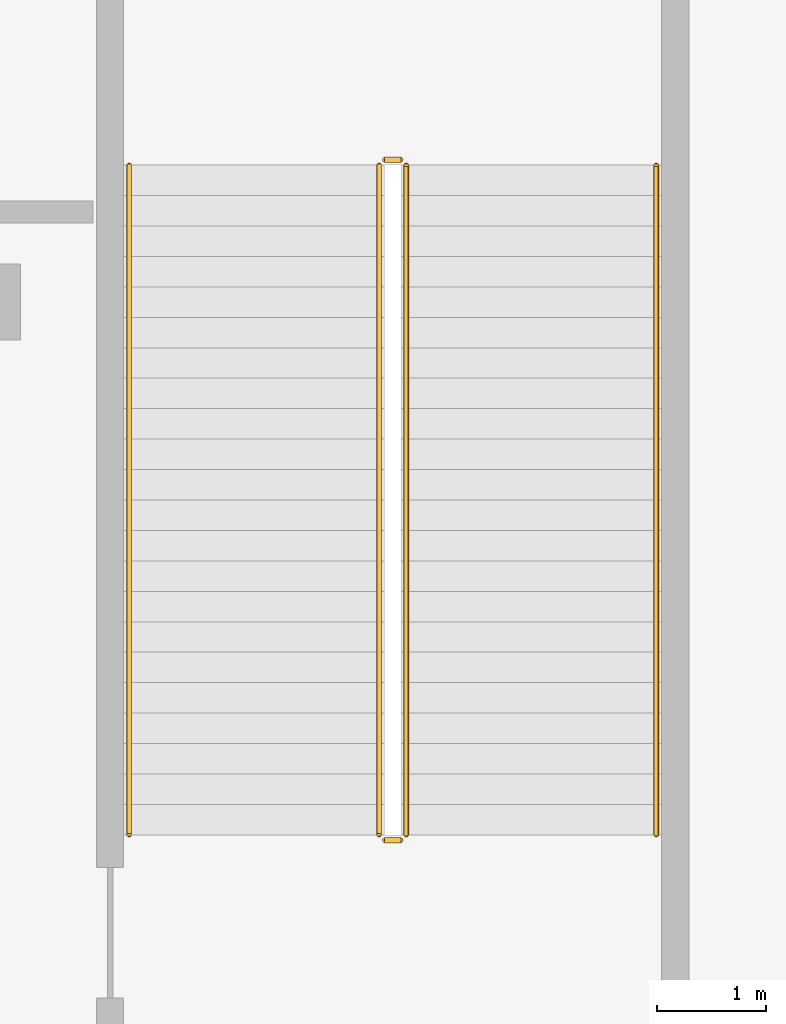
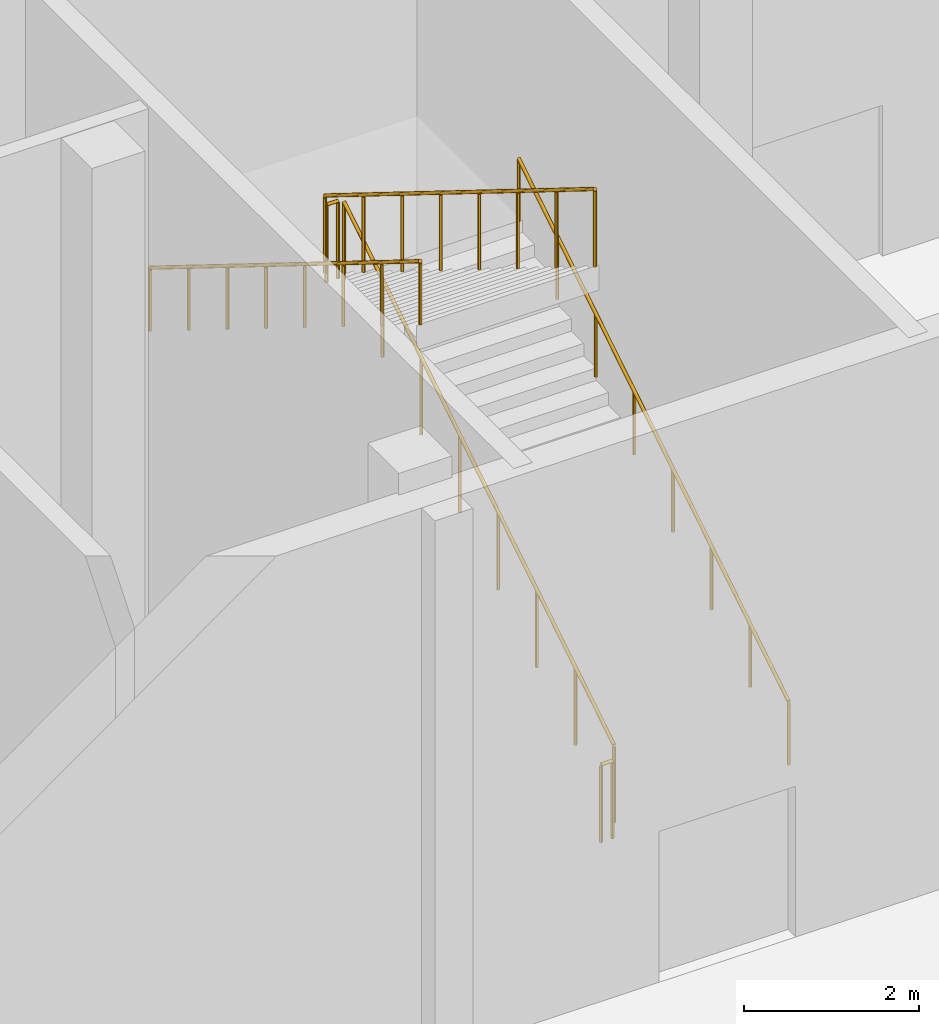
# One storey, part 53 of 57: 6 railings.
"""IFC4 building model written with IfcOpenShell, lengths in metres."""

from ifc_helpers import new_model, si_unit, direction, frame, origin, origin_2d, place, context, subcontext, project, spatial, circle, extrude, material, type_object, element, save


model = new_model("IFC4")

# Units and contexts
model_context = context("Model", 3, precision=1e-05, world=origin(), true_north=direction((0.0, 1.0)))
body_context = subcontext(model_context, "Body", "Model", "MODEL_VIEW")
ifc_project = project(units=[si_unit("LENGTHUNIT", "METRE"), si_unit("AREAUNIT", "SQUARE_METRE"), si_unit("VOLUMEUNIT", "CUBIC_METRE"), si_unit("PLANEANGLEUNIT", "RADIAN"), si_unit("MASSUNIT", "GRAM", prefix="KILO")], contexts=[model_context])

# Site, building, storey
site_placement = place(None, origin())
site = spatial("IfcSite", under=ifc_project, at=site_placement, CompositionType="ELEMENT")
building_placement = place(site_placement, origin())
building = spatial("IfcBuilding", under=site, at=building_placement, Name="Tamorin Gate", CompositionType="ELEMENT")
storey_placement = place(building_placement, origin())
storey = spatial("IfcBuildingStorey", under=building, at=storey_placement, Name="L00", CompositionType="ELEMENT", Elevation=0.0)

# Railings
ifc_material = material(Name="Steel, galvanised", Category="steel")
railing_type_1 = type_object("IfcRailingType", Name="Steel guard 1100 museum", PredefinedType="GUARDRAIL", material=ifc_material)
railing_1_placement = place(storey_placement, frame((197.60009765625, 57.800048828125, 0.173828125)))
element("IfcRailing", 1, at=railing_1_placement, inside=storey, type_object=railing_type_1, Name="L00 PS7 stair guard 1", PredefinedType="GUARDRAIL", context=body_context, shape_type="SweptSolid", body=[
    extrude(circle(Radius=0.02392578125, at=origin_2d()), frame((0.0, 0.0, 1.076171875), z_axis=(0.0, 0.849468459523, 0.527639399851), x_axis=(-1.0, 0.0, 0.0)), (0.0, 0.0, 1.0), 7.25146484375),
    extrude(circle(Radius=0.02099609375, at=origin_2d()), origin(), (0.0, 0.0, 1.0), 1.052001953125),
    extrude(circle(Radius=0.02099609375, at=origin_2d()), frame((0.0, 0.8798828125, 0.546630859375)), (0.0, 0.0, 1.0), 1.052001953125),
    extrude(circle(Radius=0.02099609375, at=origin_2d()), frame((0.0, 1.760009765625, 1.09326171875)), (0.0, 0.0, 1.0), 1.052001953125),
    extrude(circle(Radius=0.02099609375, at=origin_2d()), frame((0.0, 2.639892578125, 1.639892578125)), (0.0, 0.0, 1.0), 1.052001953125),
    extrude(circle(Radius=0.02099609375, at=origin_2d()), frame((0.0, 3.52001953125, 2.186279296875)), (0.0, 0.0, 1.0), 1.052001953125),
    extrude(circle(Radius=0.02099609375, at=origin_2d()), frame((0.0, 4.39990234375, 2.73291015625)), (0.0, 0.0, 1.0), 1.052001953125),
    extrude(circle(Radius=0.02099609375, at=origin_2d()), frame((0.0, 5.280029296875, 3.279541015625)), (0.0, 0.0, 1.0), 1.052001953125),
    extrude(circle(Radius=0.02099609375, at=origin_2d()), frame((0.0, 6.159912109375, 3.826171875)), (0.0, 0.0, 1.0), 1.052001953125),
])
railing_2_placement = place(storey_placement, frame((197.550048828125, 64.010009765625, 4.0)))
element("IfcRailing", 2, at=railing_2_placement, inside=storey, type_object=railing_type_1, Name="L00 PS7 stair guard 2", PredefinedType="GUARDRAIL", context=body_context, shape_type="SweptSolid", body=[
    extrude(circle(Radius=0.02392578125, at=origin_2d()), frame((0.0, 0.0, 1.076171875), z_axis=(-1.0, 0.0, 0.0), x_axis=(0.0, -1.0, 0.0)), (0.0, 0.0, 1.0), 0.150146484375),
    extrude(circle(Radius=0.02099609375, at=origin_2d()), origin(), (0.0, 0.0, 1.0), 1.052001953125),
    extrude(circle(Radius=0.02099609375, at=origin_2d()), frame((-0.150146484375, 0.0, 0.0)), (0.0, 0.0, 1.0), 1.052001953125),
])
railing_3_placement = place(storey_placement, frame((197.35009765625, 63.9599609375, 4.173828125)))
element("IfcRailing", 3, at=railing_3_placement, inside=storey, type_object=railing_type_1, Name="L00 PS7 stair guard 3", PredefinedType="GUARDRAIL", context=body_context, shape_type="SweptSolid", body=[
    extrude(circle(Radius=0.02392578125, at=origin_2d()), frame((0.0, 0.0, 1.076171875), z_axis=(0.0, -0.849468459523, 0.527639399851), x_axis=(1.0, 0.0, 0.0)), (0.0, 0.0, 1.0), 7.25146484375),
    extrude(circle(Radius=0.02099609375, at=origin_2d()), origin(), (0.0, 0.0, 1.0), 1.052001953125),
    extrude(circle(Radius=0.02099609375, at=origin_2d()), frame((0.0, -0.8798828125, 0.546630859375)), (0.0, 0.0, 1.0), 1.052001953125),
    extrude(circle(Radius=0.02099609375, at=origin_2d()), frame((0.0, -1.760009765625, 1.09326171875)), (0.0, 0.0, 1.0), 1.052001953125),
    extrude(circle(Radius=0.02099609375, at=origin_2d()), frame((0.0, -2.639892578125, 1.639892578125)), (0.0, 0.0, 1.0), 1.052001953125),
    extrude(circle(Radius=0.02099609375, at=origin_2d()), frame((0.0, -3.52001953125, 2.186279296875)), (0.0, 0.0, 1.0), 1.052001953125),
    extrude(circle(Radius=0.02099609375, at=origin_2d()), frame((0.0, -4.39990234375, 2.73291015625)), (0.0, 0.0, 1.0), 1.052001953125),
    extrude(circle(Radius=0.02099609375, at=origin_2d()), frame((0.0, -5.280029296875, 3.279541015625)), (0.0, 0.0, 1.0), 1.052001953125),
    extrude(circle(Radius=0.02099609375, at=origin_2d()), frame((0.0, -6.159912109375, 3.826171875)), (0.0, 0.0, 1.0), 1.052001953125),
])
railing_4_placement = place(storey_placement, frame((197.550048828125, 57.75, 0.0)))
element("IfcRailing", 4, at=railing_4_placement, inside=storey, type_object=railing_type_1, Name="L00 PS7 stair guard 4", PredefinedType="GUARDRAIL", context=body_context, shape_type="SweptSolid", body=[
    extrude(circle(Radius=0.02392578125, at=origin_2d()), frame((0.0, 0.0, 1.076171875), z_axis=(-1.0, 0.0, 0.0), x_axis=(0.0, -1.0, 0.0)), (0.0, 0.0, 1.0), 0.150146484375),
    extrude(circle(Radius=0.02099609375, at=origin_2d()), origin(), (0.0, 0.0, 1.0), 1.052001953125),
    extrude(circle(Radius=0.02099609375, at=origin_2d()), frame((-0.150146484375, 0.0, 0.0)), (0.0, 0.0, 1.0), 1.052001953125),
])
railing_type_2 = type_object("IfcRailingType", Name="Steel handrail 900 museum", PredefinedType="HANDRAIL", material=ifc_material)
railing_5_placement = place(storey_placement, frame((199.89990234375, 57.800048828125, 0.173828125)))
element("IfcRailing", 5, at=railing_5_placement, inside=storey, type_object=railing_type_2, Name="L00 PS7 stair handrail 1", PredefinedType="HANDRAIL", context=body_context, shape_type="SweptSolid", body=[
    extrude(circle(Radius=0.02392578125, at=origin_2d()), frame((0.0, 0.0, 0.8759765625), z_axis=(0.0, 0.849468459523, 0.527639399851), x_axis=(-1.0, 0.0, 0.0)), (0.0, 0.0, 1.0), 7.25146484375),
    extrude(circle(Radius=0.02099609375, at=origin_2d()), origin(), (0.0, 0.0, 1.0), 0.851806640625),
    extrude(circle(Radius=0.02099609375, at=origin_2d()), frame((0.0, 0.8798828125, 0.546630859375)), (0.0, 0.0, 1.0), 0.851806640625),
    extrude(circle(Radius=0.02099609375, at=origin_2d()), frame((0.0, 1.760009765625, 1.09326171875)), (0.0, 0.0, 1.0), 0.851806640625),
    extrude(circle(Radius=0.02099609375, at=origin_2d()), frame((0.0, 2.639892578125, 1.639892578125)), (0.0, 0.0, 1.0), 0.851806640625),
    extrude(circle(Radius=0.02099609375, at=origin_2d()), frame((0.0, 3.52001953125, 2.186279296875)), (0.0, 0.0, 1.0), 0.851806640625),
    extrude(circle(Radius=0.02099609375, at=origin_2d()), frame((0.0, 4.39990234375, 2.73291015625)), (0.0, 0.0, 1.0), 0.851806640625),
    extrude(circle(Radius=0.02099609375, at=origin_2d()), frame((0.0, 5.280029296875, 3.279541015625)), (0.0, 0.0, 1.0), 0.851806640625),
    extrude(circle(Radius=0.02099609375, at=origin_2d()), frame((0.0, 6.159912109375, 3.826171875)), (0.0, 0.0, 1.0), 0.851806640625),
])
railing_6_placement = place(storey_placement, frame((195.050048828125, 63.9599609375, 4.173828125)))
element("IfcRailing", 6, at=railing_6_placement, inside=storey, type_object=railing_type_2, Name="L00 PS7 stair handrail 2", PredefinedType="HANDRAIL", context=body_context, shape_type="SweptSolid", body=[
    extrude(circle(Radius=0.02392578125, at=origin_2d()), frame((0.0, 0.0, 0.8759765625), z_axis=(0.0, -0.849468459523, 0.527639399851), x_axis=(1.0, 0.0, 0.0)), (0.0, 0.0, 1.0), 7.25146484375),
    extrude(circle(Radius=0.02099609375, at=origin_2d()), origin(), (0.0, 0.0, 1.0), 0.851806640625),
    extrude(circle(Radius=0.02099609375, at=origin_2d()), frame((0.0, -0.8798828125, 0.546630859375)), (0.0, 0.0, 1.0), 0.851806640625),
    extrude(circle(Radius=0.02099609375, at=origin_2d()), frame((0.0, -1.760009765625, 1.09326171875)), (0.0, 0.0, 1.0), 0.851806640625),
    extrude(circle(Radius=0.02099609375, at=origin_2d()), frame((0.0, -2.639892578125, 1.639892578125)), (0.0, 0.0, 1.0), 0.851806640625),
    extrude(circle(Radius=0.02099609375, at=origin_2d()), frame((0.0, -3.52001953125, 2.186279296875)), (0.0, 0.0, 1.0), 0.851806640625),
    extrude(circle(Radius=0.02099609375, at=origin_2d()), frame((0.0, -4.39990234375, 2.73291015625)), (0.0, 0.0, 1.0), 0.851806640625),
    extrude(circle(Radius=0.02099609375, at=origin_2d()), frame((0.0, -5.280029296875, 3.279541015625)), (0.0, 0.0, 1.0), 0.851806640625),
    extrude(circle(Radius=0.02099609375, at=origin_2d()), frame((0.0, -6.159912109375, 3.826171875)), (0.0, 0.0, 1.0), 0.851806640625),
])

save(model, "model.ifc")
